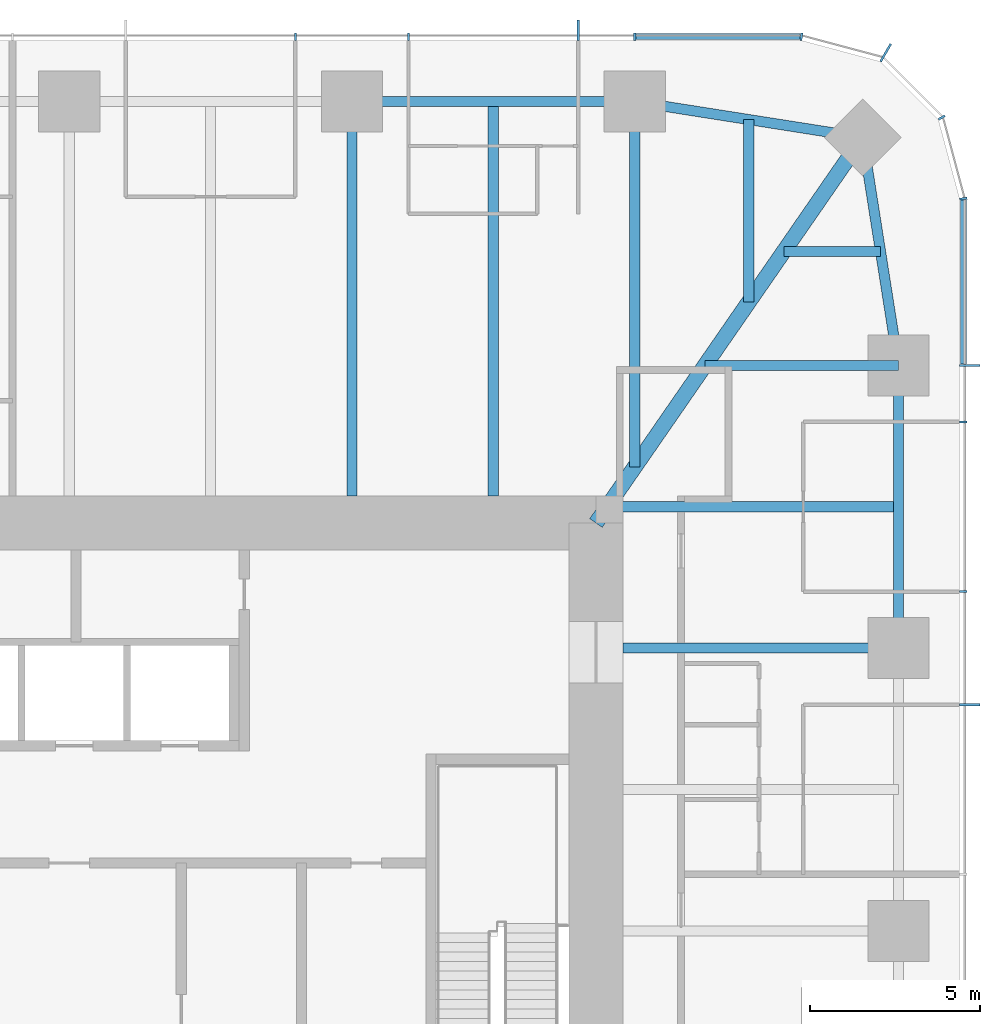
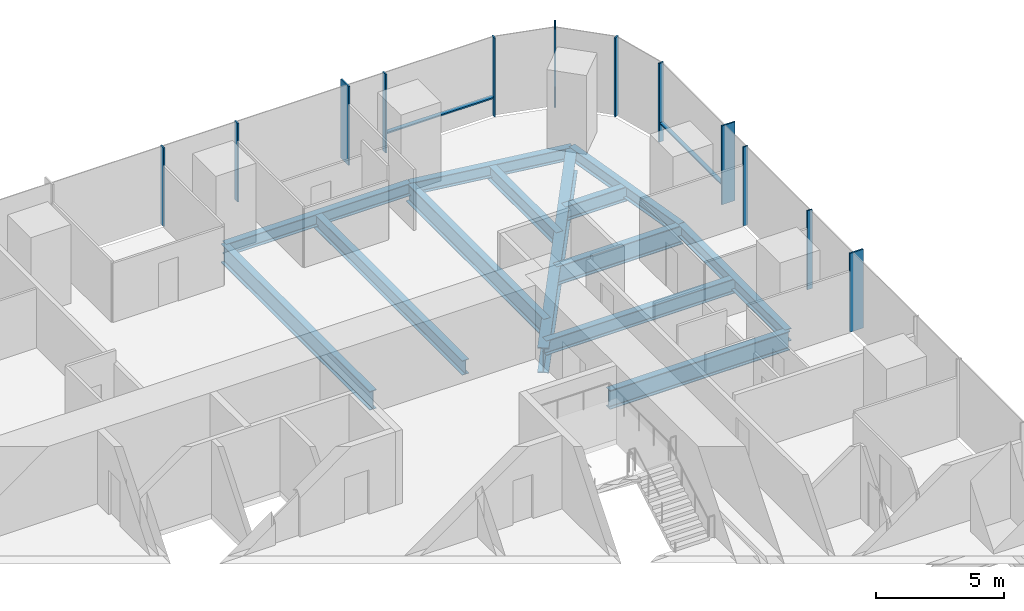
# One storey, part 6 of 12: 14 members, 13 beams, 3 elements without a shape of their own.
"""IFC4 building model written with IfcOpenShell, lengths in metres."""

from ifc_helpers import new_model, si_unit, direction, frame, origin, origin_2d, place, context, subcontext, project, spatial, rectangle, i_section, extrude, material, material_profile, profile_set, type_object, element, aggregate, save


model = new_model("IFC4")

# Units and contexts
model_context = context("Model", 3, precision=1e-05, world=origin(), true_north=direction((0.0, 1.0)))
body_context = subcontext(model_context, "Body", "Model", "MODEL_VIEW")
ifc_project = project(units=[si_unit("LENGTHUNIT", "METRE"), si_unit("AREAUNIT", "SQUARE_METRE"), si_unit("VOLUMEUNIT", "CUBIC_METRE"), si_unit("PLANEANGLEUNIT", "RADIAN"), si_unit("MASSUNIT", "GRAM", prefix="KILO")], contexts=[model_context])

# Site, building, storey
site_placement = place(None, origin())
site = spatial("IfcSite", under=ifc_project, at=site_placement, CompositionType="ELEMENT")
building_placement = place(site_placement, origin())
building = spatial("IfcBuilding", under=site, at=building_placement, Name="Khuree Lantern Residences", CompositionType="ELEMENT")
storey_placement = place(building_placement, frame((0.0, 0.0, 225.75)))
storey = spatial("IfcBuildingStorey", under=building, at=storey_placement, Name="L56", CompositionType="ELEMENT", Elevation=225.75)

# Beams
ifc_material_1 = material(Name="Steel S355", Category="steel")
ifc_material_profile_1 = material_profile(ifc_material_1, i_section(OverallWidth=0.300048828125, OverallDepth=0.68994140625, WebThickness=0.014404296875, FlangeThickness=0.027099609375, FilletRadius=0.027099609375, at=origin_2d()), Name="HE 700 A")
ifc_profile_set_1 = profile_set([ifc_material_profile_1], Name="Steel S355")
beam_type_1 = type_object("IfcBeamType", Name="B-32 SECONDARY BEAM HE 700 A", PredefinedType="BEAM", material=ifc_profile_set_1)
beam_1_placement = place(storey_placement, frame((12.47998046875, 24.39990234375, -0.594970703125), z_axis=(0.0, -1.0, 0.0), x_axis=(1.0, 0.0, 0.0)))
element("IfcBeam", 1, at=beam_1_placement, inside=storey, type_object=beam_type_1, Name="Secondary beam N4", PredefinedType="BEAM", context=body_context, shape_type="SweptSolid", body=[
    extrude(i_section(OverallWidth=0.300048828125, OverallDepth=0.68994140625, WebThickness=0.014404296875, FlangeThickness=0.027099609375, FilletRadius=0.027099609375, at=origin_2d()), origin(), (0.0, 0.0, 1.0), 11.599853515625),
])
beam_2_placement = place(storey_placement, frame((19.992919921875, 23.872802734375, -0.594970703125), z_axis=(0.0, -1.0, 0.0), x_axis=(1.0, 0.0, 0.0)))
element("IfcBeam", 2, at=beam_2_placement, inside=storey, type_object=beam_type_1, Name="Secondary beam N5", PredefinedType="BEAM", context=body_context, shape_type="SweptSolid", body=[
    extrude(i_section(OverallWidth=0.300048828125, OverallDepth=0.68994140625, WebThickness=0.014404296875, FlangeThickness=0.027099609375, FilletRadius=0.027099609375, at=origin_2d()), origin(), (0.0, 0.0, 1.0), 5.375732421875),
])
beam_3_placement = place(storey_placement, frame((23.872802734375, 19.992919921875, -0.594970703125), z_axis=(-1.0, 0.0, 0.0), x_axis=(0.0, -1.0, 0.0)))
element("IfcBeam", 3, at=beam_3_placement, inside=storey, type_object=beam_type_1, Name="Secondary beam E1", PredefinedType="BEAM", context=body_context, shape_type="SweptSolid", body=[
    extrude(i_section(OverallWidth=0.300048828125, OverallDepth=0.68994140625, WebThickness=0.014404296875, FlangeThickness=0.027099609375, FilletRadius=0.027099609375, at=origin_2d()), origin(), (0.0, 0.0, 1.0), 2.845703125),
])
beam_4_placement = place(storey_placement, frame((24.39990234375, 12.47998046875, -0.594970703125), z_axis=(-1.0, 0.0, 0.0), x_axis=(0.0, -1.0, 0.0)))
element("IfcBeam", 4, at=beam_4_placement, inside=storey, type_object=beam_type_1, Name="Secondary beam E2", PredefinedType="BEAM", context=body_context, shape_type="SweptSolid", body=[
    extrude(i_section(OverallWidth=0.300048828125, OverallDepth=0.68994140625, WebThickness=0.014404296875, FlangeThickness=0.027099609375, FilletRadius=0.027099609375, at=origin_2d()), origin(), (0.0, 0.0, 1.0), 8.56787109375),
])
ifc_material_profile_2 = material_profile(ifc_material_1, i_section(OverallWidth=0.300048828125, OverallDepth=0.590087890625, WebThickness=0.012939453125, FlangeThickness=0.02490234375, FilletRadius=0.027099609375, at=origin_2d()), Name="HE 600 A")
ifc_profile_set_2 = profile_set([ifc_material_profile_2], Name="Steel S355")
beam_type_2 = type_object("IfcBeamType", Name="E-32 SPANDREL BEAM HE 600 A", PredefinedType="SPANDREL", material=ifc_profile_set_2)
beam_5_placement = place(storey_placement, frame((8.320068359375, 24.39990234375, -0.544921875), z_axis=(1.0, 0.0, 0.0), x_axis=(0.0, 1.0, 0.0)))
element("IfcBeam", 5, at=beam_5_placement, inside=storey, type_object=beam_type_2, Name="Spandrel beam N4", PredefinedType="SPANDREL", context=body_context, shape_type="SweptSolid", body=[
    extrude(i_section(OverallWidth=0.300048828125, OverallDepth=0.590087890625, WebThickness=0.012939453125, FlangeThickness=0.02490234375, FilletRadius=0.027099609375, at=origin_2d()), origin(), (0.0, 0.0, 1.0), 8.31982421875),
])
for number, where, z_axis, x_axis, name in (
    (6, (16.639892578125, 24.39990234375, -0.544921875), (0.98786743189, -0.155299507442, 0.0), (0.155299507442, 0.98786743189, 0.0), "Spandrel beam N5"),
    (7, (23.345703125, 23.345703125, -0.544921875), (0.155299507442, -0.98786743189, 0.0), (0.98786743189, 0.155299507442, 0.0), "Spandrel beam E1"),
):
    element("IfcBeam", number, at=place(storey_placement, frame(where, z_axis=z_axis, x_axis=x_axis)), inside=storey, type_object=beam_type_2, Name=name, PredefinedType="SPANDREL", context=body_context, shape_type="SweptSolid", body=[
        extrude(i_section(OverallWidth=0.300048828125, OverallDepth=0.590087890625, WebThickness=0.012939453125, FlangeThickness=0.02490234375, FilletRadius=0.027099609375, at=origin_2d()), origin(), (0.0, 0.0, 1.0), 6.7880859375),
    ])
beam_6_placement = place(storey_placement, frame((24.39990234375, 16.639892578125, -0.544921875), z_axis=(0.0, -1.0, 0.0), x_axis=(1.0, 0.0, 0.0)))
element("IfcBeam", 8, at=beam_6_placement, inside=storey, type_object=beam_type_2, Name="Spandrel beam E2", PredefinedType="SPANDREL", context=body_context, shape_type="SweptSolid", body=[
    extrude(i_section(OverallWidth=0.300048828125, OverallDepth=0.590087890625, WebThickness=0.012939453125, FlangeThickness=0.02490234375, FilletRadius=0.027099609375, at=origin_2d()), origin(), (0.0, 0.0, 1.0), 8.31982421875),
])

# Curtain wall, members
ifc_material_2 = material(Name="Bronze anodised aluminium", Category="aluminium")
curtain_wall_type_1 = type_object("IfcCurtainWallType", Name="CW-T1 TOWER FACE CURTAIN WALL", PredefinedType="USERDEFINED", material=ifc_material_2)
curtain_wall_1_placement = place(storey_placement, origin())
curtain_wall_1 = element("IfcCurtainWall", 9, at=curtain_wall_1_placement, inside=storey, type_object=curtain_wall_type_1, Name="L56 EAST FACE CURTAIN WALL", ObjectType="Stick-built curtain wall", PredefinedType="USERDEFINED")
ifc_material_profile_3 = material_profile(ifc_material_2, rectangle(XDim=0.06494140625, YDim=0.60009765625, at=origin_2d()), Name="F1 65X600")
ifc_profile_set_3 = profile_set([ifc_material_profile_3], Name="Bronze anodised aluminium")
member_type_1 = type_object("IfcMemberType", Name="F1 BRONZE FIN MULLION TOWER 65X600", PredefinedType="MULLION", material=ifc_profile_set_3)
member_1_placement = place(storey_placement, frame((26.5, 6.656005859375, 0.0), z_axis=(0.0, 0.0, 1.0), x_axis=(0.0, 1.0, 0.0)))
member_1 = element("IfcMember", 10, at=member_1_placement, type_object=member_type_1, Name="L56 EAST FACE FIN MULLION 11", PredefinedType="MULLION", context=body_context, shape_type="SweptSolid", body=[
    extrude(rectangle(XDim=0.06494140625, YDim=0.60009765625, at=origin_2d()), origin(), (0.0, 0.0, 1.0), 3.75),
])
member_2_placement = place(storey_placement, frame((26.5, 16.639892578125, 0.0), z_axis=(0.0, 0.0, 1.0), x_axis=(0.0, 1.0, 0.0)))
member_2 = element("IfcMember", 11, at=member_2_placement, type_object=member_type_1, Name="L56 EAST FACE FIN MULLION 14", PredefinedType="MULLION", context=body_context, shape_type="SweptSolid", body=[
    extrude(rectangle(XDim=0.06494140625, YDim=0.60009765625, at=origin_2d()), origin(), (0.0, 0.0, 1.0), 3.75),
])

# Curtain wall, member
curtain_wall_type_2 = type_object("IfcCurtainWallType", Name="CW-T2 TOWER CORNER CURTAIN WALL", PredefinedType="USERDEFINED", material=ifc_material_2)
curtain_wall_2_placement = place(storey_placement, origin())
curtain_wall_2 = element("IfcCurtainWall", 12, at=curtain_wall_2_placement, inside=storey, type_object=curtain_wall_type_2, Name="L56 NORTH-EAST CORNER CURTAIN WALL", ObjectType="Faceted corner curtain wall", PredefinedType="USERDEFINED")
member_3_placement = place(storey_placement, frame((24.02490234375, 25.8369140625, 0.0), z_axis=(0.0, 0.0, 1.0), x_axis=(-0.866025409797, 0.499999989586, 0.0)))
member_3 = element("IfcMember", 13, at=member_3_placement, type_object=member_type_1, Name="L56 NORTH-EAST CORNER FIN MULLION 17", PredefinedType="MULLION", context=body_context, shape_type="SweptSolid", body=[
    extrude(rectangle(XDim=0.06494140625, YDim=0.60009765625, at=origin_2d()), origin(), (0.0, 0.0, 1.0), 3.75),
])

curtain_wall_3_placement = place(storey_placement, origin())
curtain_wall_3 = element("IfcCurtainWall", 14, at=curtain_wall_3_placement, inside=storey, type_object=curtain_wall_type_1, Name="L56 NORTH FACE CURTAIN WALL", ObjectType="Stick-built curtain wall", PredefinedType="USERDEFINED")
member_4_placement = place(storey_placement, frame((14.97607421875, 26.5, 0.0), z_axis=(0.0, 0.0, 1.0), x_axis=(-1.0, 0.0, 0.0)))
member_4 = element("IfcMember", 15, at=member_4_placement, type_object=member_type_1, Name="L56 NORTH FACE FIN MULLION 20", PredefinedType="MULLION", context=body_context, shape_type="SweptSolid", body=[
    extrude(rectangle(XDim=0.06494140625, YDim=0.60009765625, at=origin_2d()), origin(), (0.0, 0.0, 1.0), 3.75),
])

# Beams
ifc_material_profile_4 = material_profile(ifc_material_1, i_section(OverallWidth=0.300048828125, OverallDepth=0.89990234375, WebThickness=0.0185546875, FlangeThickness=0.034912109375, FilletRadius=0.030029296875, at=origin_2d()), Name="HE 900 B")
ifc_profile_set_4 = profile_set([ifc_material_profile_4], Name="Steel S355")
beam_type_3 = type_object("IfcBeamType", Name="G-32 GIRDER HE 900 B", PredefinedType="BEAM", material=ifc_profile_set_4)
beam_7_placement = place(storey_placement, frame((8.320068359375, 24.39990234375, -0.699951171875), z_axis=(0.0, -1.0, 0.0), x_axis=(1.0, 0.0, 0.0)))
element("IfcBeam", 16, at=beam_7_placement, inside=storey, type_object=beam_type_3, Name="Girder N4", PredefinedType="BEAM", context=body_context, shape_type="SweptSolid", body=[
    extrude(i_section(OverallWidth=0.300048828125, OverallDepth=0.89990234375, WebThickness=0.0185546875, FlangeThickness=0.034912109375, FilletRadius=0.030029296875, at=origin_2d()), origin(), (0.0, 0.0, 1.0), 11.599853515625),
])
beam_8_placement = place(storey_placement, frame((16.639892578125, 24.39990234375, -0.699951171875), z_axis=(0.0, -1.0, 0.0), x_axis=(1.0, 0.0, 0.0)))
element("IfcBeam", 17, at=beam_8_placement, inside=storey, type_object=beam_type_3, Name="Girder N5", PredefinedType="BEAM", context=body_context, shape_type="SweptSolid", body=[
    extrude(i_section(OverallWidth=0.300048828125, OverallDepth=0.89990234375, WebThickness=0.0185546875, FlangeThickness=0.034912109375, FilletRadius=0.030029296875, at=origin_2d()), origin(), (0.0, 0.0, 1.0), 10.751220703125),
])
beam_9_placement = place(storey_placement, frame((24.39990234375, 16.639892578125, -0.699951171875), z_axis=(-1.0, 0.0, 0.0), x_axis=(0.0, -1.0, 0.0)))
element("IfcBeam", 18, at=beam_9_placement, inside=storey, type_object=beam_type_3, Name="Girder E1", PredefinedType="BEAM", context=body_context, shape_type="SweptSolid", body=[
    extrude(i_section(OverallWidth=0.300048828125, OverallDepth=0.89990234375, WebThickness=0.0185546875, FlangeThickness=0.034912109375, FilletRadius=0.030029296875, at=origin_2d()), origin(), (0.0, 0.0, 1.0), 5.69140625),
])
beam_10_placement = place(storey_placement, frame((24.39990234375, 8.320068359375, -0.699951171875), z_axis=(-1.0, 0.0, 0.0), x_axis=(0.0, -1.0, 0.0)))
element("IfcBeam", 19, at=beam_10_placement, inside=storey, type_object=beam_type_3, Name="Girder E2", PredefinedType="BEAM", context=body_context, shape_type="SweptSolid", body=[
    extrude(i_section(OverallWidth=0.300048828125, OverallDepth=0.89990234375, WebThickness=0.0185546875, FlangeThickness=0.034912109375, FilletRadius=0.030029296875, at=origin_2d()), origin(), (0.0, 0.0, 1.0), 8.099853515625),
])
ifc_material_profile_5 = material_profile(ifc_material_1, i_section(OverallWidth=0.449951171875, OverallDepth=1.199951171875, WebThickness=0.02490234375, FlangeThickness=0.044921875, at=origin_2d()), Name="WELDED I 1200X450X25X45")
ifc_profile_set_5 = profile_set([ifc_material_profile_5], Name="Steel S355")
beam_type_4 = type_object("IfcBeamType", Name="GD-32 CORNER GIRDER WELDED I 1200X450X25X45", PredefinedType="BEAM", material=ifc_profile_set_5)
beam_11_placement = place(storey_placement, frame((23.345703125, 23.345703125, -0.85009765625), z_axis=(-0.56876813501, -0.822497907959, 0.0), x_axis=(0.822497907959, -0.56876813501, 0.0)))
element("IfcBeam", 20, at=beam_11_placement, inside=storey, type_object=beam_type_4, Name="Corner girder NE", PredefinedType="BEAM", context=body_context, shape_type="SweptSolid", body=[
    extrude(i_section(OverallWidth=0.449951171875, OverallDepth=1.199951171875, WebThickness=0.02490234375, FlangeThickness=0.044921875, at=origin_2d()), origin(), (0.0, 0.0, 1.0), 13.794189453125),
])

# Member
ifc_material_profile_6 = material_profile(ifc_material_2, rectangle(XDim=0.06494140625, YDim=0.219970703125, at=origin_2d()), Name="M1 65X220")
ifc_profile_set_6 = profile_set([ifc_material_profile_6], Name="Bronze anodised aluminium")
member_type_2 = type_object("IfcMemberType", Name="M1 BRONZE MULLION TOWER 65X220", PredefinedType="MULLION", material=ifc_profile_set_6)
member_5_placement = place(storey_placement, frame((26.31005859375, 9.98388671875, 0.0), z_axis=(0.0, 0.0, 1.0), x_axis=(0.0, 1.0, 0.0)))
member_5 = element("IfcMember", 21, at=member_5_placement, type_object=member_type_2, Name="L56 EAST FACE MULLION 12", PredefinedType="MULLION", context=body_context, shape_type="SweptSolid", body=[
    extrude(rectangle(XDim=0.06494140625, YDim=0.219970703125, at=origin_2d()), origin(), (0.0, 0.0, 1.0), 3.75),
])

member_6_placement = place(storey_placement, frame((26.31005859375, 14.97607421875, 0.0), z_axis=(0.0, 0.0, 1.0), x_axis=(0.0, 1.0, 0.0)))
member_6 = element("IfcMember", 22, at=member_6_placement, type_object=member_type_2, Name="L56 EAST FACE MULLION 13", PredefinedType="MULLION", context=body_context, shape_type="SweptSolid", body=[
    extrude(rectangle(XDim=0.06494140625, YDim=0.219970703125, at=origin_2d()), origin(), (0.0, 0.0, 1.0), 3.75),
])

member_7_placement = place(storey_placement, frame((26.311767578125, 21.544921875, 0.0), z_axis=(0.0, 0.0, 1.0), x_axis=(-0.130526180298, 0.991444862943, 0.0)))
member_7 = element("IfcMember", 23, at=member_7_placement, type_object=member_type_2, Name="L56 NORTH-EAST CORNER MULLION 15", PredefinedType="MULLION", context=body_context, shape_type="SweptSolid", body=[
    extrude(rectangle(XDim=0.06494140625, YDim=0.219970703125, at=origin_2d()), origin(), (0.0, 0.0, 1.0), 3.75),
])

member_8_placement = place(storey_placement, frame((25.67236328125, 23.929931640625, 0.0), z_axis=(0.0, 0.0, 1.0), x_axis=(-0.499999989586, 0.866025409797, 0.0)))
member_8 = element("IfcMember", 24, at=member_8_placement, type_object=member_type_2, Name="L56 NORTH-EAST CORNER MULLION 16", PredefinedType="MULLION", context=body_context, shape_type="SweptSolid", body=[
    extrude(rectangle(XDim=0.06494140625, YDim=0.219970703125, at=origin_2d()), origin(), (0.0, 0.0, 1.0), 3.75),
])

aggregate(curtain_wall_2, [member_7, member_8, member_3])

member_9_placement = place(storey_placement, frame((21.544921875, 26.311767578125, 0.0), z_axis=(0.0, 0.0, 1.0), x_axis=(-0.991444862943, 0.130526180298, 0.0)))
member_9 = element("IfcMember", 25, at=member_9_placement, type_object=member_type_2, Name="L56 NORTH FACE MULLION 18", PredefinedType="MULLION", context=body_context, shape_type="SweptSolid", body=[
    extrude(rectangle(XDim=0.06494140625, YDim=0.219970703125, at=origin_2d()), origin(), (0.0, 0.0, 1.0), 3.75),
])

member_10_placement = place(storey_placement, frame((16.639892578125, 26.31005859375, 0.0), z_axis=(0.0, 0.0, 1.0), x_axis=(-1.0, 0.0, 0.0)))
member_10 = element("IfcMember", 26, at=member_10_placement, type_object=member_type_2, Name="L56 NORTH FACE MULLION 19", PredefinedType="MULLION", context=body_context, shape_type="SweptSolid", body=[
    extrude(rectangle(XDim=0.06494140625, YDim=0.219970703125, at=origin_2d()), origin(), (0.0, 0.0, 1.0), 3.75),
])

member_11_placement = place(storey_placement, frame((9.98388671875, 26.31005859375, 0.0), z_axis=(0.0, 0.0, 1.0), x_axis=(-1.0, 0.0, 0.0)))
member_11 = element("IfcMember", 27, at=member_11_placement, type_object=member_type_2, Name="L56 NORTH FACE MULLION 21", PredefinedType="MULLION", context=body_context, shape_type="SweptSolid", body=[
    extrude(rectangle(XDim=0.06494140625, YDim=0.219970703125, at=origin_2d()), origin(), (0.0, 0.0, 1.0), 3.75),
])

member_12_placement = place(storey_placement, frame((6.656005859375, 26.31005859375, 0.0), z_axis=(0.0, 0.0, 1.0), x_axis=(-1.0, 0.0, 0.0)))
member_12 = element("IfcMember", 28, at=member_12_placement, type_object=member_type_2, Name="L56 NORTH FACE MULLION 22", PredefinedType="MULLION", context=body_context, shape_type="SweptSolid", body=[
    extrude(rectangle(XDim=0.06494140625, YDim=0.219970703125, at=origin_2d()), origin(), (0.0, 0.0, 1.0), 3.75),
])

ifc_material_profile_7 = material_profile(ifc_material_2, rectangle(XDim=0.179931640625, YDim=0.06494140625, at=origin_2d()), Name="T1 180X65")
ifc_profile_set_7 = profile_set([ifc_material_profile_7], Name="Bronze anodised aluminium")
member_type_3 = type_object("IfcMemberType", Name="TRANSOM T1 TOWER 180X65", PredefinedType="USERDEFINED", material=ifc_profile_set_7)
member_13_placement = place(storey_placement, frame((26.320068359375, 16.672607421875, 0.89990234375), z_axis=(0.0, 1.0, 0.0), x_axis=(-1.0, 0.0, 0.0)))
member_13 = element("IfcMember", 29, at=member_13_placement, type_object=member_type_3, Name="L56 EAST FACE TRANSOM 14.1", ObjectType="Transom", PredefinedType="USERDEFINED", context=body_context, shape_type="SweptSolid", body=[
    extrude(rectangle(XDim=0.179931640625, YDim=0.06494140625, at=origin_2d()), origin(), (0.0, 0.0, 1.0), 4.828857421875),
])

aggregate(curtain_wall_1, [member_1, member_5, member_6, member_2, member_13])

member_14_placement = place(storey_placement, frame((21.50146484375, 26.320068359375, 0.89990234375), z_axis=(-1.0, 0.0, 0.0), x_axis=(0.0, -1.0, 0.0)))
member_14 = element("IfcMember", 30, at=member_14_placement, type_object=member_type_3, Name="L56 NORTH FACE TRANSOM 18.1", ObjectType="Transom", PredefinedType="USERDEFINED", context=body_context, shape_type="SweptSolid", body=[
    extrude(rectangle(XDim=0.179931640625, YDim=0.06494140625, at=origin_2d()), origin(), (0.0, 0.0, 1.0), 4.828857421875),
])

aggregate(curtain_wall_3, [member_9, member_10, member_4, member_11, member_12, member_14])

save(model, "model.ifc")
